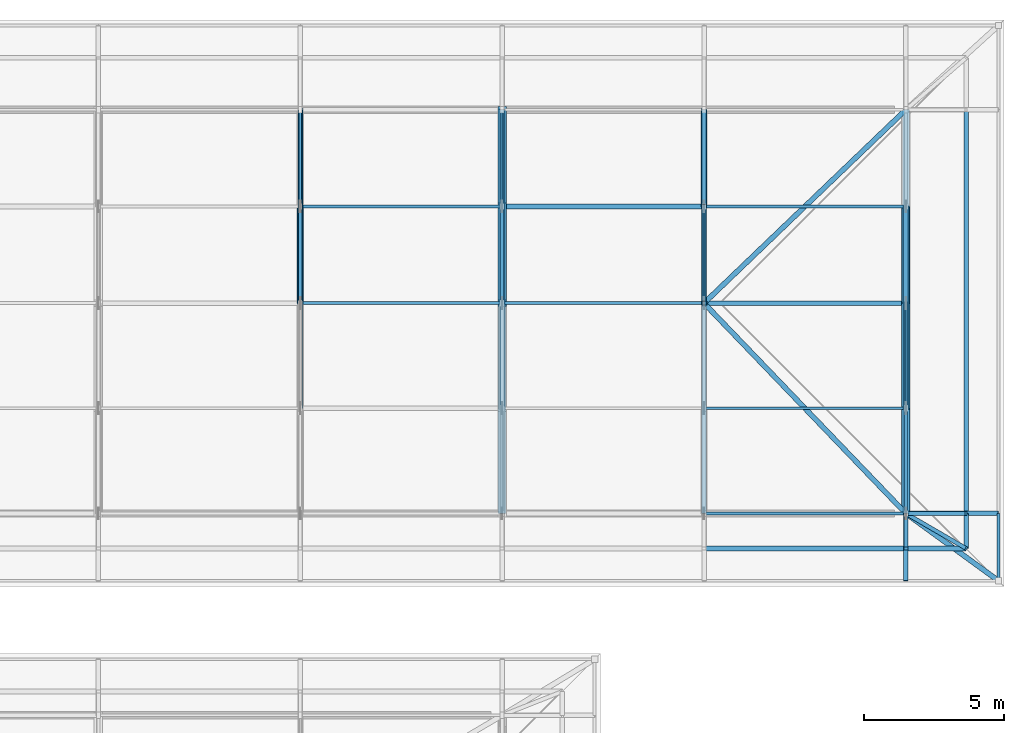
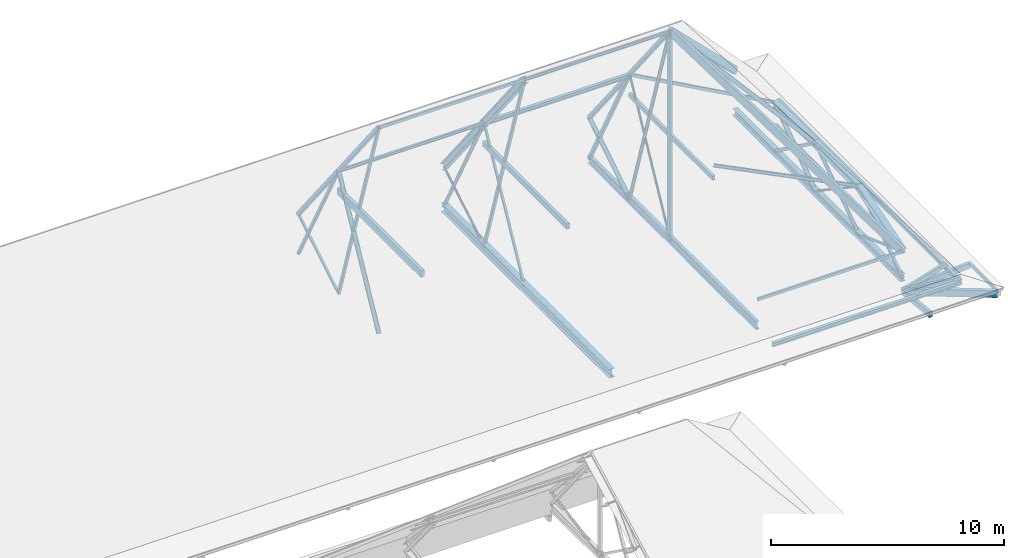
# One storey, part 5 of 12: 53 members, 3 beams.
"""IFC4 building model written with IfcOpenShell, lengths in metres."""

from ifc_helpers import new_model, si_unit, direction, frame, origin, origin_2d, place, context, subcontext, project, spatial, rectangle, hollow_rectangle, hollow_circle, i_section, extrude, material, material_profile, profile_set, type_object, element, save


model = new_model("IFC4")

# Units and contexts
model_context = context("Model", 3, precision=1e-05, world=origin(), true_north=direction((0.0, 1.0)))
body_context = subcontext(model_context, "Body", "Model", "MODEL_VIEW")
ifc_project = project(units=[si_unit("LENGTHUNIT", "METRE"), si_unit("AREAUNIT", "SQUARE_METRE"), si_unit("VOLUMEUNIT", "CUBIC_METRE"), si_unit("PLANEANGLEUNIT", "RADIAN"), si_unit("MASSUNIT", "GRAM", prefix="KILO")], contexts=[model_context])

# Site, building, storey
site_placement = place(None, origin())
site = spatial("IfcSite", under=ifc_project, at=site_placement, CompositionType="ELEMENT")
building_placement = place(site_placement, origin())
building = spatial("IfcBuilding", under=site, at=building_placement, Name="Steenspoor Specialist Clinic", CompositionType="ELEMENT")
storey_placement = place(building_placement, frame((0.0, 0.0, 25.800048828125)))
storey = spatial("IfcBuildingStorey", under=building, at=storey_placement, Name="RF", CompositionType="ELEMENT", Elevation=25.800048828125)

# Beams
ifc_material_1 = material(Name="Steel A992 Grade 50", Category="steel")
ifc_material_profile_1 = material_profile(ifc_material_1, i_section(OverallWidth=0.25390625, OverallDepth=0.35302734375, WebThickness=0.009521484375, FlangeThickness=0.016357421875, at=origin_2d()), Name="W360X91")
ifc_profile_set_1 = profile_set([ifc_material_profile_1], Name="Steel A992 Grade 50")
beam_type_1 = type_object("IfcBeamType", Name="BM-ST-W360X91", PredefinedType="BEAM", material=ifc_profile_set_1)
beam_1_placement = place(storey_placement, frame((110.0, 93.949951171875, 0.196533203125), z_axis=(0.0, 1.0, 0.0), x_axis=(-1.0, 0.0, 0.0)))
element("IfcBeam", 1, at=beam_1_placement, inside=storey, type_object=beam_type_1, Name="ROOF TRUSS Bottom Tie Chord V4 8", PredefinedType="BEAM", context=body_context, shape_type="SweptSolid", body=[
    extrude(i_section(OverallWidth=0.25390625, OverallDepth=0.35302734375, WebThickness=0.009521484375, FlangeThickness=0.016357421875, at=origin_2d()), origin(), (0.0, 0.0, 1.0), 14.400146484375),
])
ifc_material_profile_2 = material_profile(ifc_material_1, i_section(OverallWidth=0.180908203125, OverallDepth=0.4169921875, WebThickness=0.010986328125, FlangeThickness=0.018310546875, at=origin_2d()), Name="W410X85")
ifc_profile_set_2 = profile_set([ifc_material_profile_2], Name="Steel A992 Grade 50")
beam_type_2 = type_object("IfcBeamType", Name="BM-ST-W410X85", PredefinedType="BEAM", material=ifc_profile_set_2)
beam_2_placement = place(storey_placement, frame((102.800048828125, 93.949951171875, 0.228515625), z_axis=(0.0, 1.0, 0.0), x_axis=(-1.0, 0.0, 0.0)))
element("IfcBeam", 2, at=beam_2_placement, inside=storey, type_object=beam_type_2, Name="ROOF TRUSS Bottom Tie Chord V4 7", PredefinedType="BEAM", context=body_context, shape_type="SweptSolid", body=[
    extrude(i_section(OverallWidth=0.180908203125, OverallDepth=0.4169921875, WebThickness=0.010986328125, FlangeThickness=0.018310546875, at=origin_2d()), origin(), (0.0, 0.0, 1.0), 14.400146484375),
])
ifc_material_profile_3 = material_profile(ifc_material_1, i_section(OverallWidth=0.280029296875, OverallDepth=0.462890625, WebThickness=0.0107421875, FlangeThickness=0.017333984375, at=origin_2d()), Name="W460X113")
ifc_profile_set_3 = profile_set([ifc_material_profile_3], Name="Steel A992 Grade 50")
beam_type_3 = type_object("IfcBeamType", Name="BM-ST-W460X113", PredefinedType="BEAM", material=ifc_profile_set_3)
beam_3_placement = place(storey_placement, frame((95.60009765625, 93.949951171875, 0.25146484375), z_axis=(0.0, 1.0, 0.0), x_axis=(-1.0, 0.0, 0.0)))
element("IfcBeam", 3, at=beam_3_placement, inside=storey, type_object=beam_type_3, Name="ROOF TRUSS Bottom Tie Chord V4 6", PredefinedType="BEAM", context=body_context, shape_type="SweptSolid", body=[
    extrude(i_section(OverallWidth=0.280029296875, OverallDepth=0.462890625, WebThickness=0.0107421875, FlangeThickness=0.017333984375, at=origin_2d()), origin(), (0.0, 0.0, 1.0), 14.400146484375),
])

# Members
ifc_material_2 = material(Name="Steel A500 Grade C", Category="steel")
ifc_material_profile_4 = material_profile(ifc_material_2, hollow_circle(Radius=0.084228515625, WallThickness=0.007080078125, at=origin_2d()), Name="CHS168X7.1")
ifc_profile_set_4 = profile_set([ifc_material_profile_4], Name="Steel A500 Grade C")
member_type_1 = type_object("IfcMemberType", Name="MEM-BRACE-CHS168", PredefinedType="BRACE", material=ifc_profile_set_4)
member_1_placement = place(storey_placement, frame((95.60009765625, 104.89990234375, 6.695556640625), z_axis=(0.0, 0.472009148124, -0.881593650208), x_axis=(-1.0, 0.0, 0.0)))
element("IfcMember", 4, at=member_1_placement, inside=storey, type_object=member_type_1, Name="ROOF TRUSS Web Brace V4 6.4", PredefinedType="BRACE", context=body_context, shape_type="SweptSolid", body=[
    extrude(hollow_circle(Radius=0.084228515625, WallThickness=0.007080078125, at=origin_2d()), origin(), (0.0, 0.0, 1.0), 7.3095703125),
])
member_2_placement = place(storey_placement, frame((102.800048828125, 101.449951171875, 11.097900390625), z_axis=(0.0, 0.302527577428, -0.953140632276), x_axis=(-1.0, 0.0, 0.0)))
element("IfcMember", 5, at=member_2_placement, inside=storey, type_object=member_type_1, Name="ROOF TRUSS Web Brace V4 7.3", PredefinedType="BRACE", context=body_context, shape_type="SweptSolid", body=[
    extrude(hollow_circle(Radius=0.084228515625, WallThickness=0.007080078125, at=origin_2d()), origin(), (0.0, 0.0, 1.0), 11.40380859375),
])
member_3_placement = place(storey_placement, frame((110.0, 97.699951171875, 0.196533203125), z_axis=(0.0, 0.830399800905, 0.557167991415), x_axis=(-1.0, 0.0, 0.0)))
element("IfcMember", 6, at=member_3_placement, inside=storey, type_object=member_type_1, Name="ROOF TRUSS Web Brace V4 8.2", PredefinedType="BRACE", context=body_context, shape_type="SweptSolid", body=[
    extrude(hollow_circle(Radius=0.084228515625, WallThickness=0.007080078125, at=origin_2d()), origin(), (0.0, 0.0, 1.0), 4.515869140625),
])
ifc_material_profile_5 = material_profile(ifc_material_2, hollow_rectangle(XDim=0.126953125, YDim=0.126953125, WallThickness=0.0087890625, at=origin_2d()), Name="HSS127X127X9.5")
ifc_profile_set_5 = profile_set([ifc_material_profile_5], Name="Steel A500 Grade C")
member_type_2 = type_object("IfcMemberType", Name="MEM-BRACE-H127A", PredefinedType="BRACE", material=ifc_profile_set_5)
member_4_placement = place(storey_placement, frame((88.39990234375, 101.449951171875, 11.097900390625), z_axis=(0.0, 0.304346665075, -0.952561340522), x_axis=(-1.0, 0.0, 0.0)))
element("IfcMember", 7, at=member_4_placement, inside=storey, type_object=member_type_2, Name="ROOF TRUSS Web Brace V4 5.3", PredefinedType="BRACE", context=body_context, shape_type="SweptSolid", body=[
    extrude(hollow_rectangle(XDim=0.126953125, YDim=0.126953125, WallThickness=0.0087890625, at=origin_2d()), origin(), (0.0, 0.0, 1.0), 11.335693359375),
])
ifc_material_profile_6 = material_profile(ifc_material_2, hollow_rectangle(XDim=0.126953125, YDim=0.126953125, WallThickness=0.005859375, at=origin_2d()), Name="HSS127X127X6.4")
ifc_profile_set_6 = profile_set([ifc_material_profile_6], Name="Steel A500 Grade C")
member_type_3 = type_object("IfcMemberType", Name="MEM-BRACE-H127B", PredefinedType="BRACE", material=ifc_profile_set_6)
member_5_placement = place(storey_placement, frame((88.39990234375, 104.89990234375, 6.73583984375), z_axis=(0.0, 0.472482100197, -0.881340266295), x_axis=(-1.0, 0.0, 0.0)))
element("IfcMember", 8, at=member_5_placement, inside=storey, type_object=member_type_3, Name="ROOF TRUSS Web Brace V4 5.4", PredefinedType="BRACE", context=body_context, shape_type="SweptSolid", body=[
    extrude(hollow_rectangle(XDim=0.126953125, YDim=0.126953125, WallThickness=0.005859375, at=origin_2d()), origin(), (0.0, 0.0, 1.0), 7.30224609375),
])
member_6_placement = place(storey_placement, frame((95.60009765625, 101.449951171875, 11.0576171875), z_axis=(0.0, 0.304134512319, -0.952629098031), x_axis=(-1.0, 0.0, 0.0)))
element("IfcMember", 9, at=member_6_placement, inside=storey, type_object=member_type_3, Name="ROOF TRUSS Web Brace V4 6.3", PredefinedType="BRACE", context=body_context, shape_type="SweptSolid", body=[
    extrude(hollow_rectangle(XDim=0.126953125, YDim=0.126953125, WallThickness=0.005859375, at=origin_2d()), origin(), (0.0, 0.0, 1.0), 11.343505859375),
])
member_7_placement = place(storey_placement, frame((110.0, 93.949951171875, 0.196533203125), z_axis=(0.0, 0.830399800905, 0.557167991415), x_axis=(-1.0, 0.0, 0.0)))
element("IfcMember", 10, at=member_7_placement, inside=storey, type_object=member_type_3, Name="ROOF TRUSS Web Brace V4 8.1", PredefinedType="BRACE", context=body_context, shape_type="SweptSolid", body=[
    extrude(hollow_rectangle(XDim=0.126953125, YDim=0.126953125, WallThickness=0.005859375, at=origin_2d()), origin(), (0.0, 0.0, 1.0), 4.515869140625),
])
ifc_material_profile_7 = material_profile(ifc_material_2, hollow_rectangle(XDim=0.15234375, YDim=0.15234375, WallThickness=0.0087890625, at=origin_2d()), Name="HSS152X152X9.5")
ifc_profile_set_7 = profile_set([ifc_material_profile_7], Name="Steel A500 Grade C")
member_type_4 = type_object("IfcMemberType", Name="MEM-BRACE-H152", PredefinedType="BRACE", material=ifc_profile_set_7)
member_8_placement = place(storey_placement, frame((102.800048828125, 104.89990234375, 6.73583984375), z_axis=(0.0, 0.4684328541, -0.883499100848), x_axis=(-1.0, 0.0, 0.0)))
element("IfcMember", 11, at=member_8_placement, inside=storey, type_object=member_type_4, Name="ROOF TRUSS Web Brace V4 7.4", PredefinedType="BRACE", context=body_context, shape_type="SweptSolid", body=[
    extrude(hollow_rectangle(XDim=0.15234375, YDim=0.15234375, WallThickness=0.0087890625, at=origin_2d()), origin(), (0.0, 0.0, 1.0), 7.365478515625),
])
member_9_placement = place(storey_placement, frame((110.0, 101.449951171875, 2.712646484375), z_axis=(0.0, 0.807949119269, -0.589252255551), x_axis=(-1.0, 0.0, 0.0)))
element("IfcMember", 12, at=member_9_placement, inside=storey, type_object=member_type_4, Name="ROOF TRUSS Web Brace V4 8.3", PredefinedType="BRACE", context=body_context, shape_type="SweptSolid", body=[
    extrude(hollow_rectangle(XDim=0.15234375, YDim=0.15234375, WallThickness=0.0087890625, at=origin_2d()), origin(), (0.0, 0.0, 1.0), 4.27001953125),
])
ifc_material_profile_8 = material_profile(ifc_material_2, hollow_rectangle(XDim=0.177734375, YDim=0.177734375, WallThickness=0.0087890625, at=origin_2d()), Name="HSS178X178X9.5")
ifc_profile_set_8 = profile_set([ifc_material_profile_8], Name="Steel A500 Grade C")
member_type_5 = type_object("IfcMemberType", Name="MEM-CHORD-H178", PredefinedType="CHORD", material=ifc_profile_set_8)
for number, where, z_axis, x_axis, name in (
    (13, (88.39990234375, 101.449951171875, 11.097900390625), (0.0, 0.620332945322, -0.784338598405), (-1.0, 0.0, 0.0), "ROOF TRUSS Top Chord V4 5.3"),
    (14, (88.39990234375, 104.89990234375, 6.73583984375), (0.0, 0.620359950148, -0.784317239548), (-1.0, 0.0, 0.0), "ROOF TRUSS Top Chord V4 5.4"),
    (15, (102.800048828125, 101.449951171875, 11.097900390625), (0.0, 0.620332945322, -0.784338598405), (-1.0, 0.0, 0.0), "ROOF TRUSS Top Chord V4 7.3"),
    (16, (102.800048828125, 104.89990234375, 6.73583984375), (0.0, 0.620359950148, -0.784317239548), (-1.0, 0.0, 0.0), "ROOF TRUSS Top Chord V4 7.4"),
):
    element("IfcMember", number, at=place(storey_placement, frame(where, z_axis=z_axis, x_axis=x_axis)), inside=storey, type_object=member_type_5, Name=name, PredefinedType="CHORD", context=body_context, shape_type="SweptSolid", body=[
        extrude(hollow_rectangle(XDim=0.177734375, YDim=0.177734375, WallThickness=0.0087890625, at=origin_2d()), origin(), (0.0, 0.0, 1.0), 5.5615234375),
    ])
ifc_material_profile_9 = material_profile(ifc_material_1, i_section(OverallWidth=0.304931640625, OverallDepth=0.30810546875, WebThickness=0.010009765625, FlangeThickness=0.015380859375, at=origin_2d()), Name="W310X97")
ifc_profile_set_9 = profile_set([ifc_material_profile_9], Name="Steel A992 Grade 50")
member_type_6 = type_object("IfcMemberType", Name="MEM-CHORD-W310", PredefinedType="CHORD", material=ifc_profile_set_9)
member_10_placement = place(storey_placement, frame((95.60009765625, 101.449951171875, 11.0576171875), z_axis=(0.0, 0.620332945322, -0.784338598405), x_axis=(-1.0, 0.0, 0.0)))
element("IfcMember", 17, at=member_10_placement, inside=storey, type_object=member_type_6, Name="ROOF TRUSS Top Chord V4 6.3", PredefinedType="CHORD", context=body_context, shape_type="SweptSolid", body=[
    extrude(i_section(OverallWidth=0.304931640625, OverallDepth=0.30810546875, WebThickness=0.010009765625, FlangeThickness=0.015380859375, at=origin_2d()), origin(), (0.0, 0.0, 1.0), 5.5615234375),
])
member_11_placement = place(storey_placement, frame((95.60009765625, 104.89990234375, 6.695556640625), z_axis=(0.0, 0.620338591913, -0.784334132487), x_axis=(-1.0, 0.0, 0.0)))
element("IfcMember", 18, at=member_11_placement, inside=storey, type_object=member_type_6, Name="ROOF TRUSS Top Chord V4 6.4", PredefinedType="CHORD", context=body_context, shape_type="SweptSolid", body=[
    extrude(i_section(OverallWidth=0.304931640625, OverallDepth=0.30810546875, WebThickness=0.010009765625, FlangeThickness=0.015380859375, at=origin_2d()), origin(), (0.0, 0.0, 1.0), 5.561767578125),
])
member_12_placement = place(storey_placement, frame((110.0, 93.949951171875, 1.57470703125), z_axis=(0.0, 0.956912729798, 0.290375666249), x_axis=(-1.0, 0.0, 0.0)))
element("IfcMember", 19, at=member_12_placement, inside=storey, type_object=member_type_6, Name="ROOF TRUSS Top Chord V4 8.1", PredefinedType="CHORD", context=body_context, shape_type="SweptSolid", body=[
    extrude(i_section(OverallWidth=0.304931640625, OverallDepth=0.30810546875, WebThickness=0.010009765625, FlangeThickness=0.015380859375, at=origin_2d()), origin(), (0.0, 0.0, 1.0), 3.9189453125),
])
member_13_placement = place(storey_placement, frame((110.0, 97.699951171875, 2.712646484375), z_axis=(0.0, 1.0, 0.0), x_axis=(-1.0, 0.0, 0.0)))
element("IfcMember", 20, at=member_13_placement, inside=storey, type_object=member_type_6, Name="ROOF TRUSS Top Chord V4 8.2", PredefinedType="CHORD", context=body_context, shape_type="SweptSolid", body=[
    extrude(i_section(OverallWidth=0.304931640625, OverallDepth=0.30810546875, WebThickness=0.010009765625, FlangeThickness=0.015380859375, at=origin_2d()), origin(), (0.0, 0.0, 1.0), 3.75),
])
member_14_placement = place(storey_placement, frame((110.0, 101.449951171875, 2.712646484375), z_axis=(0.0, 1.0, 0.0), x_axis=(-1.0, 0.0, 0.0)))
element("IfcMember", 21, at=member_14_placement, inside=storey, type_object=member_type_6, Name="ROOF TRUSS Top Chord V4 8.3", PredefinedType="CHORD", context=body_context, shape_type="SweptSolid", body=[
    extrude(i_section(OverallWidth=0.304931640625, OverallDepth=0.30810546875, WebThickness=0.010009765625, FlangeThickness=0.015380859375, at=origin_2d()), origin(), (0.0, 0.0, 1.0), 3.449951171875),
])
ifc_material_profile_10 = material_profile(ifc_material_2, hollow_rectangle(XDim=0.1015625, YDim=0.15234375, WallThickness=0.005859375, at=origin_2d()), Name="HSS152X102X6.4")
ifc_profile_set_10 = profile_set([ifc_material_profile_10], Name="Steel A500 Grade C")
member_type_7 = type_object("IfcMemberType", Name="MEM-PURLIN-H152", PredefinedType="PURLIN", material=ifc_profile_set_10)
member_15_placement = place(storey_placement, frame((113.300048828125, 91.550048828125, -0.195068359375), z_axis=(0.0, 1.0, 0.0), x_axis=(-1.0, 0.0, 0.0)))
element("IfcMember", 22, at=member_15_placement, inside=storey, type_object=member_type_7, Name="ROOF TRUSS Eave Fascia 296", PredefinedType="PURLIN", context=body_context, shape_type="SweptSolid", body=[
    extrude(hollow_rectangle(XDim=0.1015625, YDim=0.15234375, WallThickness=0.005859375, at=origin_2d()), origin(), (0.0, 0.0, 1.0), 2.39990234375),
])
member_16_placement = place(storey_placement, frame((88.39990234375, 101.449951171875, 11.076904296875), z_axis=(1.0, 0.0, 0.0), x_axis=(0.0, 1.0, 0.0)))
element("IfcMember", 23, at=member_16_placement, inside=storey, type_object=member_type_7, Name="ROOF TRUSS Purlin 345", PredefinedType="PURLIN", context=body_context, shape_type="SweptSolid", body=[
    extrude(hollow_rectangle(XDim=0.1015625, YDim=0.15234375, WallThickness=0.005859375, at=origin_2d()), origin(), (0.0, 0.0, 1.0), 7.2001953125),
])
member_17_placement = place(storey_placement, frame((102.800048828125, 93.949951171875, 1.593994140625), z_axis=(1.0, 0.0, 0.0), x_axis=(0.0, 1.0, 0.0)))
element("IfcMember", 24, at=member_17_placement, inside=storey, type_object=member_type_7, Name="ROOF TRUSS Purlin 353", PredefinedType="PURLIN", context=body_context, shape_type="SweptSolid", body=[
    extrude(hollow_rectangle(XDim=0.1015625, YDim=0.15234375, WallThickness=0.005859375, at=origin_2d()), origin(), (0.0, 0.0, 1.0), 7.199951171875),
])
member_18_placement = place(storey_placement, frame((102.800048828125, 104.89990234375, 6.71484375), z_axis=(0.875036181622, 0.0, -0.484057518124), x_axis=(0.0, 1.0, 0.0)))
element("IfcMember", 25, at=member_18_placement, inside=storey, type_object=member_type_7, Name="ROOF TRUSS Purlin 356", PredefinedType="PURLIN", context=body_context, shape_type="SweptSolid", body=[
    extrude(hollow_rectangle(XDim=0.1015625, YDim=0.15234375, WallThickness=0.005859375, at=origin_2d()), origin(), (0.0, 0.0, 1.0), 8.228271484375),
])
ifc_material_profile_11 = material_profile(ifc_material_1, i_section(OverallWidth=0.10205078125, OverallDepth=0.159912109375, WebThickness=0.006591796875, FlangeThickness=0.01025390625, at=origin_2d()), Name="W150X24")
ifc_profile_set_11 = profile_set([ifc_material_profile_11], Name="Steel A992 Grade 50")
member_type_8 = type_object("IfcMemberType", Name="MEM-PURLIN-W150", PredefinedType="PURLIN", material=ifc_profile_set_11)
member_19_placement = place(storey_placement, frame((88.39990234375, 104.89990234375, 6.7109375), z_axis=(1.0, 0.0, 0.0), x_axis=(0.0, 1.0, 0.0)))
element("IfcMember", 26, at=member_19_placement, inside=storey, type_object=member_type_8, Name="ROOF TRUSS Purlin 346", PredefinedType="PURLIN", context=body_context, shape_type="SweptSolid", body=[
    extrude(i_section(OverallWidth=0.10205078125, OverallDepth=0.159912109375, WebThickness=0.006591796875, FlangeThickness=0.01025390625, at=origin_2d()), origin(), (0.0, 0.0, 1.0), 7.2001953125),
])
member_20_placement = place(storey_placement, frame((95.60009765625, 101.449951171875, 11.0732421875), z_axis=(1.0, 0.0, 0.0), x_axis=(0.0, 1.0, 0.0)))
element("IfcMember", 27, at=member_20_placement, inside=storey, type_object=member_type_8, Name="ROOF TRUSS Purlin 350", PredefinedType="PURLIN", context=body_context, shape_type="SweptSolid", body=[
    extrude(i_section(OverallWidth=0.10205078125, OverallDepth=0.159912109375, WebThickness=0.006591796875, FlangeThickness=0.01025390625, at=origin_2d()), origin(), (0.0, 0.0, 1.0), 7.199951171875),
])
member_21_placement = place(storey_placement, frame((102.800048828125, 97.699951171875, 6.33154296875), z_axis=(0.894263385418, 0.0, -0.447541056776), x_axis=(0.0, 1.0, 0.0)))
element("IfcMember", 28, at=member_21_placement, inside=storey, type_object=member_type_8, Name="ROOF TRUSS Purlin 354", PredefinedType="PURLIN", context=body_context, shape_type="SweptSolid", body=[
    extrude(i_section(OverallWidth=0.10205078125, OverallDepth=0.159912109375, WebThickness=0.006591796875, FlangeThickness=0.01025390625, at=origin_2d()), origin(), (0.0, 0.0, 1.0), 8.05126953125),
])
ifc_material_profile_12 = material_profile(ifc_material_1, i_section(OverallWidth=0.1650390625, OverallDepth=0.200927734375, WebThickness=0.006103515625, FlangeThickness=0.01025390625, at=origin_2d()), Name="W200X36")
ifc_profile_set_12 = profile_set([ifc_material_profile_12], Name="Steel A992 Grade 50")
member_type_9 = type_object("IfcMemberType", Name="MEM-PURLIN-W200", PredefinedType="PURLIN", material=ifc_profile_set_12)
member_22_placement = place(storey_placement, frame((102.800048828125, 92.699951171875, -0.0087890625), z_axis=(1.0, 0.0, 0.0), x_axis=(0.0, 1.0, 0.0)))
element("IfcMember", 29, at=member_22_placement, inside=storey, type_object=member_type_9, Name="ROOF TRUSS Knuckle Purlin 313", PredefinedType="PURLIN", context=body_context, shape_type="SweptSolid", body=[
    extrude(i_section(OverallWidth=0.1650390625, OverallDepth=0.200927734375, WebThickness=0.006103515625, FlangeThickness=0.01025390625, at=origin_2d()), origin(), (0.0, 0.0, 1.0), 7.199951171875),
])
member_23_placement = place(storey_placement, frame((110.0, 92.699951171875, -0.0087890625), z_axis=(1.0, 0.0, 0.0), x_axis=(0.0, 1.0, 0.0)))
element("IfcMember", 30, at=member_23_placement, inside=storey, type_object=member_type_9, Name="ROOF TRUSS Knuckle Purlin 315", PredefinedType="PURLIN", context=body_context, shape_type="SweptSolid", body=[
    extrude(i_section(OverallWidth=0.1650390625, OverallDepth=0.200927734375, WebThickness=0.006103515625, FlangeThickness=0.01025390625, at=origin_2d()), origin(), (0.0, 0.0, 1.0), 2.14990234375),
])
member_24_placement = place(storey_placement, frame((112.14990234375, 92.699951171875, -0.0087890625), z_axis=(0.0, 1.0, 0.0), x_axis=(-1.0, 0.0, 0.0)))
element("IfcMember", 31, at=member_24_placement, inside=storey, type_object=member_type_9, Name="ROOF TRUSS Knuckle Purlin 320", PredefinedType="PURLIN", context=body_context, shape_type="SweptSolid", body=[
    extrude(i_section(OverallWidth=0.1650390625, OverallDepth=0.200927734375, WebThickness=0.006103515625, FlangeThickness=0.01025390625, at=origin_2d()), origin(), (0.0, 0.0, 1.0), 1.25),
])
member_25_placement = place(storey_placement, frame((112.14990234375, 93.949951171875, -0.0087890625), z_axis=(0.0, 1.0, 0.0), x_axis=(-1.0, 0.0, 0.0)))
element("IfcMember", 32, at=member_25_placement, inside=storey, type_object=member_type_9, Name="ROOF TRUSS Knuckle Purlin 321", PredefinedType="PURLIN", context=body_context, shape_type="SweptSolid", body=[
    extrude(i_section(OverallWidth=0.1650390625, OverallDepth=0.200927734375, WebThickness=0.006103515625, FlangeThickness=0.01025390625, at=origin_2d()), origin(), (0.0, 0.0, 1.0), 14.400146484375),
])
member_26_placement = place(storey_placement, frame((95.60009765625, 104.89990234375, 6.6904296875), z_axis=(1.0, 0.0, 0.0), x_axis=(0.0, 1.0, 0.0)))
element("IfcMember", 33, at=member_26_placement, inside=storey, type_object=member_type_9, Name="ROOF TRUSS Purlin 351", PredefinedType="PURLIN", context=body_context, shape_type="SweptSolid", body=[
    extrude(i_section(OverallWidth=0.1650390625, OverallDepth=0.200927734375, WebThickness=0.006103515625, FlangeThickness=0.01025390625, at=origin_2d()), origin(), (0.0, 0.0, 1.0), 7.199951171875),
])
member_27_placement = place(storey_placement, frame((102.800048828125, 101.449951171875, 11.052734375), z_axis=(0.653252429054, 0.0, -0.757140187769), x_axis=(0.0, 1.0, 0.0)))
element("IfcMember", 34, at=member_27_placement, inside=storey, type_object=member_type_9, Name="ROOF TRUSS Purlin 355", PredefinedType="PURLIN", context=body_context, shape_type="SweptSolid", body=[
    extrude(i_section(OverallWidth=0.1650390625, OverallDepth=0.200927734375, WebThickness=0.006103515625, FlangeThickness=0.01025390625, at=origin_2d()), origin(), (0.0, 0.0, 1.0), 11.021728515625),
])
ifc_material_3 = material(Name="Glulam GL28h", Category="wood")
ifc_material_profile_13 = material_profile(ifc_material_3, rectangle(XDim=0.139892578125, YDim=0.219970703125, at=origin_2d()), Name="GL28H-140X220")
ifc_profile_set_13 = profile_set([ifc_material_profile_13], Name="Glulam GL28h")
member_type_10 = type_object("IfcMemberType", Name="MEM-RAFTER-GL220", PredefinedType="RAFTER", material=ifc_profile_set_13)
member_28_placement = place(storey_placement, frame((110.0, 93.949951171875, -0.40869140625), z_axis=(0.0, -0.905662768709, 0.423998761054), x_axis=(1.0, 0.0, 0.0)))
element("IfcMember", 35, at=member_28_placement, inside=storey, type_object=member_type_10, Name="ROOF TRUSS Knuckle Rafter V4 208", PredefinedType="RAFTER", context=body_context, shape_type="SweptSolid", body=[
    extrude(rectangle(XDim=0.139892578125, YDim=0.219970703125, at=origin_2d()), origin(), (0.0, 0.0, 1.0), 1.380126953125),
])
member_29_placement = place(storey_placement, frame((110.0, 93.949951171875, -0.481689453125), z_axis=(0.95619127167, 0.0, 0.292742637795), x_axis=(0.0, 1.0, 0.0)))
element("IfcMember", 36, at=member_29_placement, inside=storey, type_object=member_type_10, Name="ROOF TRUSS Knuckle Rafter V4 216", PredefinedType="RAFTER", context=body_context, shape_type="SweptSolid", body=[
    extrude(rectangle(XDim=0.139892578125, YDim=0.219970703125, at=origin_2d()), origin(), (0.0, 0.0, 1.0), 2.248291015625),
])
member_30_placement = place(storey_placement, frame((110.0, 93.949951171875, -0.5), z_axis=(0.834182542994, -0.485011880551, 0.262493734571), x_axis=(0.50263752021, 0.864497266206, 0.0)))
element("IfcMember", 37, at=member_30_placement, inside=storey, type_object=member_type_10, Name="ROOF TRUSS Corner Knuckle Rafter V4 224", PredefinedType="RAFTER", context=body_context, shape_type="SweptSolid", body=[
    extrude(rectangle(XDim=0.139892578125, YDim=0.219970703125, at=origin_2d()), origin(), (0.0, 0.0, 1.0), 2.5771484375),
])
member_31_placement = place(storey_placement, frame((102.800048828125, 97.699951171875, 5.66259765625), z_axis=(0.0, 1.0, 0.0), x_axis=(-1.0, 0.0, 0.0)))
element("IfcMember", 38, at=member_31_placement, inside=storey, type_object=member_type_10, Name="ROOF TRUSS Glulam Collar Rafter V4 7", PredefinedType="RAFTER", context=body_context, shape_type="SweptSolid", body=[
    extrude(rectangle(XDim=0.139892578125, YDim=0.219970703125, at=origin_2d()), origin(), (0.0, 0.0, 1.0), 7.199951171875),
])
member_32_placement = place(storey_placement, frame((102.800048828125, 101.449951171875, 0.179931640625), z_axis=(0.0, 0.0, 1.0), x_axis=(1.0, 0.0, 0.0)))
element("IfcMember", 39, at=member_32_placement, inside=storey, type_object=member_type_10, Name="ROOF TRUSS Hip King Post V4 E", PredefinedType="RAFTER", context=body_context, shape_type="SweptSolid", body=[
    extrude(rectangle(XDim=0.139892578125, YDim=0.219970703125, at=origin_2d()), origin(), (0.0, 0.0, 1.0), 10.9580078125),
])
ifc_material_profile_14 = material_profile(ifc_material_3, rectangle(XDim=0.159912109375, YDim=0.280029296875, at=origin_2d()), Name="GL28H-160X280")
ifc_profile_set_14 = profile_set([ifc_material_profile_14], Name="Glulam GL28h")
member_type_11 = type_object("IfcMemberType", Name="MEM-RAFTER-GL280", PredefinedType="RAFTER", material=ifc_profile_set_14)
member_33_placement = place(storey_placement, frame((110.0, 93.949951171875, -0.5), z_axis=(0.0, -0.99532367136, 0.096596010425), x_axis=(1.0, 0.0, 0.0)))
element("IfcMember", 40, at=member_33_placement, inside=storey, type_object=member_type_11, Name="ROOF TRUSS Flared Eave Glulam Outrigger V4 207", PredefinedType="RAFTER", context=body_context, shape_type="SweptSolid", body=[
    extrude(rectangle(XDim=0.159912109375, YDim=0.280029296875, at=origin_2d()), origin(), (0.0, 0.0, 1.0), 2.4111328125),
])
member_34_placement = place(storey_placement, frame((110.0, 93.949951171875, -0.5), z_axis=(0.997518653982, 0.0, 0.070402663009), x_axis=(0.0, 1.0, 0.0)))
element("IfcMember", 41, at=member_34_placement, inside=storey, type_object=member_type_11, Name="ROOF TRUSS Flared Eave Glulam Outrigger V4 215", PredefinedType="RAFTER", context=body_context, shape_type="SweptSolid", body=[
    extrude(rectangle(XDim=0.159912109375, YDim=0.280029296875, at=origin_2d()), origin(), (0.0, 0.0, 1.0), 3.308349609375),
])
member_35_placement = place(storey_placement, frame((95.60009765625, 97.699951171875, 5.654052734375), z_axis=(0.0, 1.0, 0.0), x_axis=(-1.0, 0.0, 0.0)))
element("IfcMember", 42, at=member_35_placement, inside=storey, type_object=member_type_11, Name="ROOF TRUSS Glulam Collar Rafter V4 6", PredefinedType="RAFTER", context=body_context, shape_type="SweptSolid", body=[
    extrude(rectangle(XDim=0.159912109375, YDim=0.280029296875, at=origin_2d()), origin(), (0.0, 0.0, 1.0), 7.199951171875),
])
ifc_material_profile_15 = material_profile(ifc_material_3, rectangle(XDim=0.179931640625, YDim=0.360107421875, at=origin_2d()), Name="GL28H-180X360")
ifc_profile_set_15 = profile_set([ifc_material_profile_15], Name="Glulam GL28h")
member_type_12 = type_object("IfcMemberType", Name="MEM-RAFTER-GL360", PredefinedType="RAFTER", material=ifc_profile_set_15)
member_36_placement = place(storey_placement, frame((110.0, 93.949951171875, -0.5), z_axis=(0.807861021068, -0.587502688252, 0.046916542246), x_axis=(0.588150351935, 0.808751608047, 0.0)))
element("IfcMember", 43, at=member_36_placement, inside=storey, type_object=member_type_12, Name="ROOF TRUSS Corner Hip Outrigger V4 223", PredefinedType="RAFTER", context=body_context, shape_type="SweptSolid", body=[
    extrude(rectangle(XDim=0.179931640625, YDim=0.360107421875, at=origin_2d()), origin(), (0.0, 0.0, 1.0), 4.0849609375),
])
for number, where, z_axis, x_axis, name in (
    (44, (88.39990234375, 97.699951171875, 5.698486328125), (0.0, 1.0, 0.0), (-1.0, 0.0, 0.0), "ROOF TRUSS Glulam Collar Rafter V4 5"),
    (45, (110.0, 97.699951171875, 1.4541015625), (0.0, 1.0, 0.0), (-1.0, 0.0, 0.0), "ROOF TRUSS Glulam Collar Rafter V4 8"),
):
    element("IfcMember", number, at=place(storey_placement, frame(where, z_axis=z_axis, x_axis=x_axis)), inside=storey, type_object=member_type_12, Name=name, PredefinedType="RAFTER", context=body_context, shape_type="SweptSolid", body=[
        extrude(rectangle(XDim=0.179931640625, YDim=0.360107421875, at=origin_2d()), origin(), (0.0, 0.0, 1.0), 7.199951171875),
    ])
member_37_placement = place(storey_placement, frame((110.0, 93.949951171875, 1.57470703125), z_axis=(-0.51067271274, 0.531954349984, 0.675453884434), x_axis=(-0.721389667345, -0.692529384104, 0.0)))
element("IfcMember", 46, at=member_37_placement, inside=storey, type_object=member_type_12, Name="ROOF TRUSS Hip Rafter V4 360", PredefinedType="RAFTER", context=body_context, shape_type="SweptSolid", body=[
    extrude(rectangle(XDim=0.179931640625, YDim=0.360107421875, at=origin_2d()), origin(), (0.0, 0.0, 1.0), 14.098876953125),
])
member_38_placement = place(storey_placement, frame((110.0, 108.35009765625, 2.333251953125), z_axis=(-0.542300344141, -0.519719054168, 0.660153346942), x_axis=(0.691915465865, -0.721978523293, 0.0)))
element("IfcMember", 47, at=member_38_placement, inside=storey, type_object=member_type_12, Name="ROOF TRUSS Hip Rafter V4 361", PredefinedType="RAFTER", context=body_context, shape_type="SweptSolid", body=[
    extrude(rectangle(XDim=0.179931640625, YDim=0.360107421875, at=origin_2d()), origin(), (0.0, 0.0, 1.0), 13.276611328125),
])
ifc_material_profile_16 = material_profile(ifc_material_2, hollow_circle(Radius=0.05712890625, WallThickness=0.006103515625, at=origin_2d()), Name="CHS114X6.0")
ifc_profile_set_16 = profile_set([ifc_material_profile_16], Name="Steel A500 Grade C")
member_type_13 = type_object("IfcMemberType", Name="MEM-STRUT-CHS114", PredefinedType="STRUT", material=ifc_profile_set_16)
member_39_placement = place(storey_placement, frame((95.60009765625, 104.89990234375, 0.25146484375), z_axis=(0.0, 0.856212613008, 0.516623616694), x_axis=(-1.0, 0.0, 0.0)))
element("IfcMember", 48, at=member_39_placement, inside=storey, type_object=member_type_13, Name="ROOF TRUSS Web Strut V4 6.4", PredefinedType="STRUT", context=body_context, shape_type="SweptSolid", body=[
    extrude(hollow_circle(Radius=0.05712890625, WallThickness=0.006103515625, at=origin_2d()), origin(), (0.0, 0.0, 1.0), 4.029541015625),
])
member_40_placement = place(storey_placement, frame((102.800048828125, 101.449951171875, 0.228515625), z_axis=(0.0, 0.468406979952, 0.883512818884), x_axis=(-1.0, 0.0, 0.0)))
element("IfcMember", 49, at=member_40_placement, inside=storey, type_object=member_type_13, Name="ROOF TRUSS Web Strut V4 7.3", PredefinedType="STRUT", context=body_context, shape_type="SweptSolid", body=[
    extrude(hollow_circle(Radius=0.05712890625, WallThickness=0.006103515625, at=origin_2d()), origin(), (0.0, 0.0, 1.0), 7.365234375),
])
member_41_placement = place(storey_placement, frame((110.0, 97.699951171875, 2.712646484375), z_axis=(0.0, 0.830399800905, -0.557167991415), x_axis=(-1.0, 0.0, 0.0)))
element("IfcMember", 50, at=member_41_placement, inside=storey, type_object=member_type_13, Name="ROOF TRUSS Web Strut V4 8.2", PredefinedType="STRUT", context=body_context, shape_type="SweptSolid", body=[
    extrude(hollow_circle(Radius=0.05712890625, WallThickness=0.006103515625, at=origin_2d()), origin(), (0.0, 0.0, 1.0), 4.515869140625),
])
ifc_material_profile_17 = material_profile(ifc_material_2, hollow_circle(Radius=0.109619140625, WallThickness=0.00830078125, at=origin_2d()), Name="CHS219X8.2")
ifc_profile_set_17 = profile_set([ifc_material_profile_17], Name="Steel A500 Grade C")
member_type_14 = type_object("IfcMemberType", Name="MEM-STRUT-CHS219", PredefinedType="STRUT", material=ifc_profile_set_17)
member_42_placement = place(storey_placement, frame((88.39990234375, 101.449951171875, 0.300048828125), z_axis=(0.0, 0.47245612976, 0.881354188424), x_axis=(-1.0, 0.0, 0.0)))
element("IfcMember", 51, at=member_42_placement, inside=storey, type_object=member_type_14, Name="ROOF TRUSS Web Strut V4 5.3", PredefinedType="STRUT", context=body_context, shape_type="SweptSolid", body=[
    extrude(hollow_circle(Radius=0.109619140625, WallThickness=0.00830078125, at=origin_2d()), origin(), (0.0, 0.0, 1.0), 7.30224609375),
])
member_43_placement = place(storey_placement, frame((102.800048828125, 104.89990234375, 0.228515625), z_axis=(0.0, 0.849224879119, 0.528031348204), x_axis=(-1.0, 0.0, 0.0)))
element("IfcMember", 52, at=member_43_placement, inside=storey, type_object=member_type_14, Name="ROOF TRUSS Web Strut V4 7.4", PredefinedType="STRUT", context=body_context, shape_type="SweptSolid", body=[
    extrude(hollow_circle(Radius=0.109619140625, WallThickness=0.00830078125, at=origin_2d()), origin(), (0.0, 0.0, 1.0), 4.062744140625),
])
member_44_placement = place(storey_placement, frame((110.0, 101.449951171875, 0.196533203125), z_axis=(0.0, 0.807949119269, 0.589252255551), x_axis=(-1.0, 0.0, 0.0)))
element("IfcMember", 53, at=member_44_placement, inside=storey, type_object=member_type_14, Name="ROOF TRUSS Web Strut V4 8.3", PredefinedType="STRUT", context=body_context, shape_type="SweptSolid", body=[
    extrude(hollow_circle(Radius=0.109619140625, WallThickness=0.00830078125, at=origin_2d()), origin(), (0.0, 0.0, 1.0), 4.27001953125),
])
ifc_material_profile_18 = material_profile(ifc_material_2, hollow_rectangle(XDim=0.1015625, YDim=0.1015625, WallThickness=0.005859375, at=origin_2d()), Name="HSS102X102X6.4")
ifc_profile_set_18 = profile_set([ifc_material_profile_18], Name="Steel A500 Grade C")
member_type_15 = type_object("IfcMemberType", Name="MEM-STRUT-H102", PredefinedType="STRUT", material=ifc_profile_set_18)
member_45_placement = place(storey_placement, frame((88.39990234375, 104.89990234375, 0.300048828125), z_axis=(0.0, 0.857096667106, 0.515155610699), x_axis=(-1.0, 0.0, 0.0)))
element("IfcMember", 54, at=member_45_placement, inside=storey, type_object=member_type_15, Name="ROOF TRUSS Web Strut V4 5.4", PredefinedType="STRUT", context=body_context, shape_type="SweptSolid", body=[
    extrude(hollow_rectangle(XDim=0.1015625, YDim=0.1015625, WallThickness=0.005859375, at=origin_2d()), origin(), (0.0, 0.0, 1.0), 4.025390625),
])
member_46_placement = place(storey_placement, frame((95.60009765625, 101.449951171875, 0.25146484375), z_axis=(0.0, 0.471983188765, 0.881607548472), x_axis=(-1.0, 0.0, 0.0)))
element("IfcMember", 55, at=member_46_placement, inside=storey, type_object=member_type_15, Name="ROOF TRUSS Web Strut V4 6.3", PredefinedType="STRUT", context=body_context, shape_type="SweptSolid", body=[
    extrude(hollow_rectangle(XDim=0.1015625, YDim=0.1015625, WallThickness=0.005859375, at=origin_2d()), origin(), (0.0, 0.0, 1.0), 7.3095703125),
])
member_47_placement = place(storey_placement, frame((110.0, 93.949951171875, 1.57470703125), z_axis=(0.0, 0.938619293298, -0.344954811893), x_axis=(-1.0, 0.0, 0.0)))
element("IfcMember", 56, at=member_47_placement, inside=storey, type_object=member_type_15, Name="ROOF TRUSS Web Strut V4 8.1", PredefinedType="STRUT", context=body_context, shape_type="SweptSolid", body=[
    extrude(hollow_rectangle(XDim=0.1015625, YDim=0.1015625, WallThickness=0.005859375, at=origin_2d()), origin(), (0.0, 0.0, 1.0), 3.9951171875),
])

save(model, "model.ifc")
